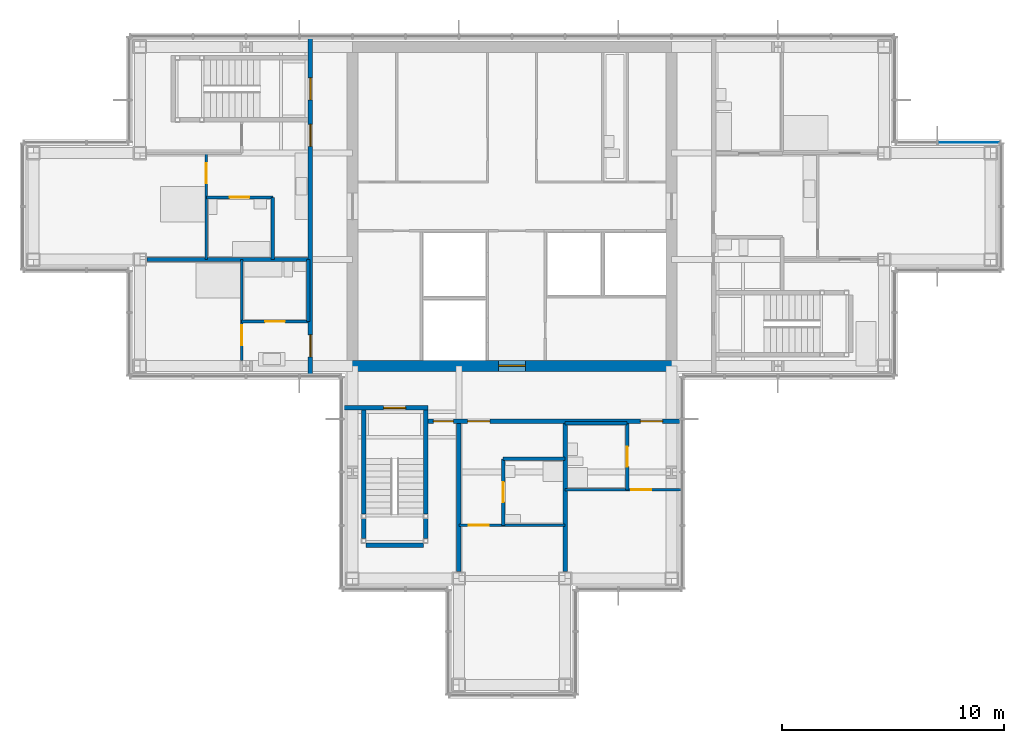
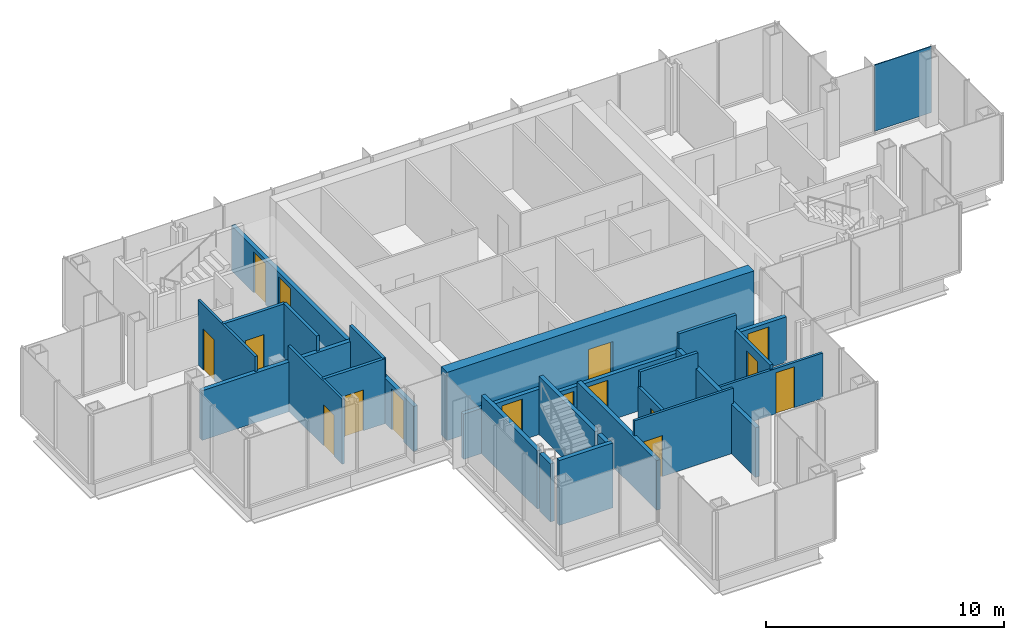
# One storey, part 10 of 15: 24 walls, 16 doors, 1 plate, 16 openings, 1 element without a shape of its own.
"""IFC4 building model written with IfcOpenShell, lengths in metres."""

from ifc_helpers import new_model, si_unit, direction, frame, frame_2d, origin, origin_2d, place, context, subcontext, project, spatial, rectangle, extrude, material, layer, layer_set, type_object, element, fill, aggregate, save


model = new_model("IFC4")

# Units and contexts
model_context = context("Model", 3, precision=1e-05, world=origin(), true_north=direction((0.0, 1.0)))
body_context = subcontext(model_context, "Body", "Model", "MODEL_VIEW")
ifc_project = project(units=[si_unit("LENGTHUNIT", "METRE"), si_unit("AREAUNIT", "SQUARE_METRE"), si_unit("VOLUMEUNIT", "CUBIC_METRE"), si_unit("PLANEANGLEUNIT", "RADIAN"), si_unit("MASSUNIT", "GRAM", prefix="KILO")], contexts=[model_context])

# Site, building, storey
site_placement = place(None, origin())
site = spatial("IfcSite", under=ifc_project, at=site_placement, CompositionType="ELEMENT")
building_placement = place(site_placement, origin())
building = spatial("IfcBuilding", under=site, at=building_placement, Name="Kvirike Care Tower", CompositionType="ELEMENT")
storey_placement = place(building_placement, frame((0.0, 0.0, 212.0)))
storey = spatial("IfcBuildingStorey", under=building, at=storey_placement, Name="L58", CompositionType="ELEMENT", Elevation=212.0)

# Curtain wall, plate
ifc_material_1 = material(Name="Anodised aluminium stick system", Category="aluminium")
curtain_wall_type = type_object("IfcCurtainWallType", Name="CW-D STICK CURTAIN WALL", PredefinedType="NOTDEFINED", material=ifc_material_1)
curtain_wall_placement = place(storey_placement, origin())
curtain_wall = element("IfcCurtainWall", 1, at=curtain_wall_placement, inside=storey, type_object=curtain_wall_type, Name="Curtain wall L58 face 5", PredefinedType="NOTDEFINED")
ifc_material_2 = material(Name="Tinted double glazed unit", Category="glass")
ifc_layer_1 = layer(ifc_material_2, 0.0439453125)
ifc_layer_set_1 = layer_set([ifc_layer_1], Name="TINTED VISION PANEL 44")
plate_type = type_object("IfcPlateType", Name="TINTED VISION PANEL 44", PredefinedType="CURTAIN_PANEL", material=ifc_layer_set_1)
plate_placement = place(storey_placement, frame((42.2236328125, 38.8798828125, 0.10009765625), z_axis=(0.0, 0.0, 1.0), x_axis=(-1.0, 0.0, 0.0)))
plate = element("IfcPlate", 2, at=plate_placement, type_object=plate_type, Name="CW-D panel L58 face 5.1", PredefinedType="CURTAIN_PANEL", context=body_context, shape_type="SweptSolid", body=[
    extrude(rectangle(XDim=2.782470703125, YDim=0.0439453125, at=origin_2d()), origin(), (0.0, 0.0, 1.0), 3.39990234375),
])
aggregate(curtain_wall, [plate])

# Wall, opening, door
ifc_material_3 = material(Name="Moisture-resistant board partition", Category="gypsum")
ifc_layer_2 = layer(ifc_material_3, 0.14990234375)
ifc_layer_set_2 = layer_set([ifc_layer_2], Name="BATHROOM WALL 150")
wall_type_1 = type_object("IfcWallType", Name="BATHROOM WALL 150", PredefinedType="PARTITIONING", material=ifc_layer_set_2)
wall_1_placement = place(storey_placement, frame((7.800048828125, 36.39990234375, 0.0), z_axis=(0.0, 0.0, 1.0), x_axis=(1.0, 0.0, 0.0)))
wall_1 = element("IfcWall", 3, at=wall_1_placement, inside=storey, type_object=wall_type_1, Name="Bathroom Wall 150 L58", PredefinedType="PARTITIONING", context=body_context, shape_type="SweptSolid", body=[
    extrude(rectangle(XDim=3.0, YDim=0.14990234375, at=frame_2d((1.5, 0.0))), origin(), (0.0, 0.0, 1.0), 3.330078125),
])
opening_1_placement = place(wall_1_placement, frame((1.050048828125, 0.0, 0.0)))
opening_1 = element("IfcOpeningElement", 4, at=opening_1_placement, cuts=wall_1, Name="Opening 58-001", PredefinedType="OPENING", context=body_context, shape_type="SweptSolid", body=[
    extrude(rectangle(XDim=0.89990234375, YDim=2.10009765625, at=frame_2d((0.449951171875, 1.050048828125))), frame((0.0, 0.08544921875, 0.0), z_axis=(0.0, -1.0, 0.0), x_axis=(1.0, 0.0, 0.0)), (0.0, 0.0, 1.0), 0.1708984375),
])
ifc_material_4 = material(Name="Timber door set", Category="wood")
door_type_1 = type_object("IfcDoorType", Name="BATHROOM DOOR 900", OperationType="SINGLE_SWING_RIGHT", PredefinedType="DOOR", material=ifc_material_4)
door_1_placement = place(opening_1_placement, frame((0.89990234375, 0.0, 0.0), z_axis=(0.0, 0.0, 1.0), x_axis=(-1.0, 0.0, 0.0)))
door_1 = element("IfcDoor", 5, at=door_1_placement, inside=storey, type_object=door_type_1, Name="Bathroom door", OperationType="SINGLE_SWING_LEFT", OverallHeight=2.10009765625, OverallWidth=0.89990234375, PredefinedType="DOOR", context=body_context, shape_type="SweptSolid", body=[
    extrude(rectangle(XDim=0.89990234375, YDim=2.10009765625, at=frame_2d((0.449951171875, 1.050048828125))), frame((0.0, 0.02197265625, 0.0), z_axis=(0.0, -1.0, 0.0), x_axis=(1.0, 0.0, 0.0)), (0.0, 0.0, 1.0), 0.0439453125),
])
fill(opening_1, door_1)

# Wall
wall_2_placement = place(storey_placement, frame((10.800048828125, 36.39990234375, 0.0), z_axis=(0.0, 0.0, 1.0), x_axis=(0.0, -1.0, 0.0)))
element("IfcWall", 6, at=wall_2_placement, inside=storey, type_object=wall_type_1, Name="Bathroom Wall 150 L58", PredefinedType="PARTITIONING", context=body_context, shape_type="SweptSolid", body=[
    extrude(rectangle(XDim=2.7998046875, YDim=0.14990234375, at=frame_2d((1.39990234375, 0.0))), origin(), (0.0, 0.0, 1.0), 3.330078125),
])

# Wall, opening, door
wall_3_placement = place(storey_placement, frame((9.39990234375, 30.800048828125, 0.0), z_axis=(0.0, 0.0, 1.0), x_axis=(1.0, 0.0, 0.0)))
wall_3 = element("IfcWall", 7, at=wall_3_placement, inside=storey, type_object=wall_type_1, Name="Bathroom Wall 150 L58", PredefinedType="PARTITIONING", context=body_context, shape_type="SweptSolid", body=[
    extrude(rectangle(XDim=3.0, YDim=0.14990234375, at=frame_2d((1.5, 0.0))), origin(), (0.0, 0.0, 1.0), 3.330078125),
])
opening_2_placement = place(wall_3_placement, frame((1.050048828125, 0.0, 0.0)))
opening_2 = element("IfcOpeningElement", 8, at=opening_2_placement, cuts=wall_3, Name="Opening 58-004", PredefinedType="OPENING", context=body_context, shape_type="SweptSolid", body=[
    extrude(rectangle(XDim=0.89990234375, YDim=2.10009765625, at=frame_2d((0.449951171875, 1.050048828125))), frame((0.0, 0.08544921875, 0.0), z_axis=(0.0, -1.0, 0.0), x_axis=(1.0, 0.0, 0.0)), (0.0, 0.0, 1.0), 0.1708984375),
])
door_2_placement = place(opening_2_placement, frame((0.89990234375, 0.0, 0.0), z_axis=(0.0, 0.0, 1.0), x_axis=(-1.0, 0.0, 0.0)))
door_2 = element("IfcDoor", 9, at=door_2_placement, inside=storey, type_object=door_type_1, Name="Bathroom door", OperationType="SINGLE_SWING_LEFT", OverallHeight=2.10009765625, OverallWidth=0.89990234375, PredefinedType="DOOR", context=body_context, shape_type="SweptSolid", body=[
    extrude(rectangle(XDim=0.89990234375, YDim=2.10009765625, at=frame_2d((0.449951171875, 1.050048828125))), frame((0.0, 0.02197265625, 0.0), z_axis=(0.0, -1.0, 0.0), x_axis=(1.0, 0.0, 0.0)), (0.0, 0.0, 1.0), 0.0439453125),
])
fill(opening_2, door_2)

# Wall
wall_4_placement = place(storey_placement, frame((12.39990234375, 33.60009765625, 0.0), z_axis=(0.0, 0.0, 1.0), x_axis=(0.0, -1.0, 0.0)))
element("IfcWall", 10, at=wall_4_placement, inside=storey, type_object=wall_type_1, Name="Bathroom Wall 150 L58", PredefinedType="PARTITIONING", context=body_context, shape_type="SweptSolid", body=[
    extrude(rectangle(XDim=2.800048828125, YDim=0.14990234375, at=frame_2d((1.39990234375, 0.0))), origin(), (0.0, 0.0, 1.0), 3.330078125),
])

# Wall, opening, door
wall_5_placement = place(storey_placement, frame((21.199951171875, 21.60009765625, 0.0), z_axis=(0.0, 0.0, 1.0), x_axis=(0.0, 1.0, 0.0)))
wall_5 = element("IfcWall", 11, at=wall_5_placement, inside=storey, type_object=wall_type_1, Name="Bathroom Wall 150 L58", PredefinedType="PARTITIONING", context=body_context, shape_type="SweptSolid", body=[
    extrude(rectangle(XDim=3.0, YDim=0.14990234375, at=frame_2d((1.5, 0.0))), origin(), (0.0, 0.0, 1.0), 2.550048828125),
])
opening_3_placement = place(wall_5_placement, frame((1.050048828125, 0.0, 0.0)))
opening_3 = element("IfcOpeningElement", 12, at=opening_3_placement, cuts=wall_5, Name="Opening 58-010", PredefinedType="OPENING", context=body_context, shape_type="SweptSolid", body=[
    extrude(rectangle(XDim=0.89990234375, YDim=2.10009765625, at=frame_2d((0.449951171875, 1.050048828125))), frame((0.0, 0.08544921875, 0.0), z_axis=(0.0, -1.0, 0.0), x_axis=(1.0, 0.0, 0.0)), (0.0, 0.0, 1.0), 0.1708984375),
])
door_3_placement = place(opening_3_placement, frame((0.89990234375, 0.0, 0.0), z_axis=(0.0, 0.0, 1.0), x_axis=(-1.0, 0.0, 0.0)))
door_3 = element("IfcDoor", 13, at=door_3_placement, inside=storey, type_object=door_type_1, Name="Shower room door", OperationType="SINGLE_SWING_RIGHT", OverallHeight=2.10009765625, OverallWidth=0.89990234375, PredefinedType="DOOR", context=body_context, shape_type="SweptSolid", body=[
    extrude(rectangle(XDim=0.89990234375, YDim=2.10009765625, at=frame_2d((0.449951171875, 1.050048828125))), frame((0.0, 0.02197265625, 0.0), z_axis=(0.0, -1.0, 0.0), x_axis=(1.0, 0.0, 0.0)), (0.0, 0.0, 1.0), 0.0439453125),
])
fill(opening_3, door_3)

# Wall
wall_6_placement = place(storey_placement, frame((21.199951171875, 24.60009765625, 0.0), z_axis=(0.0, 0.0, 1.0), x_axis=(1.0, 0.0, 0.0)))
element("IfcWall", 14, at=wall_6_placement, inside=storey, type_object=wall_type_1, Name="Bathroom Wall 150 L58", PredefinedType="PARTITIONING", context=body_context, shape_type="SweptSolid", body=[
    extrude(rectangle(XDim=2.800048828125, YDim=0.14990234375, at=frame_2d((1.39990234375, 0.0))), origin(), (0.0, 0.0, 1.0), 3.330078125),
])

# Wall, opening, door
wall_7_placement = place(storey_placement, frame((26.800048828125, 23.199951171875, 0.0), z_axis=(0.0, 0.0, 1.0), x_axis=(0.0, 1.0, 0.0)))
wall_7 = element("IfcWall", 15, at=wall_7_placement, inside=storey, type_object=wall_type_1, Name="Bathroom Wall 150 L58", PredefinedType="PARTITIONING", context=body_context, shape_type="SweptSolid", body=[
    extrude(rectangle(XDim=3.0, YDim=0.14990234375, at=frame_2d((1.5, 0.0))), origin(), (0.0, 0.0, 1.0), 2.550048828125),
])
opening_4_placement = place(wall_7_placement, frame((1.050048828125, 0.0, 0.0)))
opening_4 = element("IfcOpeningElement", 16, at=opening_4_placement, cuts=wall_7, Name="Opening 58-012", PredefinedType="OPENING", context=body_context, shape_type="SweptSolid", body=[
    extrude(rectangle(XDim=0.89990234375, YDim=2.10009765625, at=frame_2d((0.449951171875, 1.050048828125))), frame((0.0, 0.08544921875, 0.0), z_axis=(0.0, -1.0, 0.0), x_axis=(1.0, 0.0, 0.0)), (0.0, 0.0, 1.0), 0.1708984375),
])
door_4_placement = place(opening_4_placement, frame((0.89990234375, 0.0, 0.0), z_axis=(0.0, 0.0, 1.0), x_axis=(-1.0, 0.0, 0.0)))
door_4 = element("IfcDoor", 17, at=door_4_placement, inside=storey, type_object=door_type_1, Name="Shower room door", OperationType="SINGLE_SWING_LEFT", OverallHeight=2.10009765625, OverallWidth=0.89990234375, PredefinedType="DOOR", context=body_context, shape_type="SweptSolid", body=[
    extrude(rectangle(XDim=0.89990234375, YDim=2.10009765625, at=frame_2d((0.449951171875, 1.050048828125))), frame((0.0, 0.02197265625, 0.0), z_axis=(0.0, -1.0, 0.0), x_axis=(1.0, 0.0, 0.0)), (0.0, 0.0, 1.0), 0.0439453125),
])
fill(opening_4, door_4)

# Wall
wall_8_placement = place(storey_placement, frame((24.0, 26.199951171875, 0.0), z_axis=(0.0, 0.0, 1.0), x_axis=(1.0, 0.0, 0.0)))
element("IfcWall", 18, at=wall_8_placement, inside=storey, type_object=wall_type_1, Name="Bathroom Wall 150 L58", PredefinedType="PARTITIONING", context=body_context, shape_type="SweptSolid", body=[
    extrude(rectangle(XDim=2.800048828125, YDim=0.14990234375, at=frame_2d((1.39990234375, 0.0))), origin(), (0.0, 0.0, 1.0), 3.330078125),
])

# Wall, opening, door
ifc_material_5 = material(Name="Concrete C40/50", Category="concrete")
ifc_layer_3 = layer(ifc_material_5, 0.5)
ifc_layer_set_3 = layer_set([ifc_layer_3], Name="CORE WALL 500 C40-50")
wall_type_2 = type_object("IfcWallType", Name="CORE WALL 500 C40-50", PredefinedType="SHEAR", material=ifc_layer_set_3)
wall_9_placement = place(storey_placement, frame((14.14990234375, 28.800048828125, -0.169921875), z_axis=(0.0, 0.0, 1.0), x_axis=(1.0, 0.0, 0.0)))
wall_9 = element("IfcWall", 19, at=wall_9_placement, inside=storey, type_object=wall_type_2, Name="Core wall S L58", PredefinedType="SHEAR", context=body_context, shape_type="SweptSolid", body=[
    extrude(rectangle(XDim=14.900146484375, YDim=0.5, at=frame_2d((7.4501953125, 0.0))), origin(), (0.0, 0.0, 1.0), 3.5),
])
opening_5_placement = place(wall_9_placement, frame((6.85009765625, 0.0, 0.169921875)))
opening_5 = element("IfcOpeningElement", 20, at=opening_5_placement, cuts=wall_9, Name="Opening 58-037", PredefinedType="OPENING", context=body_context, shape_type="SweptSolid", body=[
    extrude(rectangle(XDim=1.199951171875, YDim=2.10009765625, at=frame_2d((0.60009765625, 1.050048828125))), frame((0.0, 0.260498046875, 0.0), z_axis=(0.0, -1.0, 0.0), x_axis=(1.0, 0.0, 0.0)), (0.0, 0.0, 1.0), 0.52099609375),
])
ifc_material_6 = material(Name="Timber door set", Category="wood")
door_type_2 = type_object("IfcDoorType", Name="CORE DOOR 1200", OperationType="SINGLE_SWING_LEFT", PredefinedType="DOOR", material=ifc_material_6)
door_5_placement = place(opening_5_placement, origin())
door_5 = element("IfcDoor", 21, at=door_5_placement, inside=storey, type_object=door_type_2, Name="Core door S L58", OperationType="SINGLE_SWING_LEFT", OverallHeight=2.10009765625, OverallWidth=1.199951171875, PredefinedType="DOOR", context=body_context, shape_type="SweptSolid", body=[
    extrude(rectangle(XDim=1.199951171875, YDim=2.10009765625, at=frame_2d((0.60009765625, 1.050048828125))), frame((0.0, 0.02685546875, 0.0), z_axis=(0.0, -1.0, 0.0), x_axis=(1.0, 0.0, 0.0)), (0.0, 0.0, 1.0), 0.053955078125),
])
fill(opening_5, door_5)

# Wall, openings, doors
ifc_material_7 = material(Name="Plasterboard corridor wall", Category="gypsum")
ifc_layer_4 = layer(ifc_material_7, 0.199951171875)
ifc_layer_set_4 = layer_set([ifc_layer_4], Name="CORRIDOR WALL 200")
wall_type_3 = type_object("IfcWallType", Name="CORRIDOR WALL 200", PredefinedType="PARTITIONING", material=ifc_layer_set_4)
wall_10_placement = place(storey_placement, frame((12.5, 43.655029296875, 0.0), z_axis=(0.0, 0.0, 1.0), x_axis=(0.0, -1.0, 0.0)))
wall_10 = element("IfcWall", 22, at=wall_10_placement, inside=storey, type_object=wall_type_3, Name="Corridor Wall 200 L58", PredefinedType="PARTITIONING", context=body_context, shape_type="SweptSolid", body=[
    extrude(rectangle(XDim=15.31005859375, YDim=0.199951171875, at=frame_2d((7.655029296875, 0.0))), origin(), (0.0, 0.0, 1.0), 2.320068359375),
])
opening_6_placement = place(wall_10_placement, frame((1.85498046875, 0.0, 0.0)))
opening_6 = element("IfcOpeningElement", 23, at=opening_6_placement, cuts=wall_10, Name="Opening 58-006", PredefinedType="OPENING", context=body_context, shape_type="SweptSolid", body=[
    extrude(rectangle(XDim=1.0, YDim=2.10009765625, at=frame_2d((0.5, 1.050048828125))), frame((0.0, 0.110595703125, 0.0), z_axis=(0.0, -1.0, 0.0), x_axis=(1.0, 0.0, 0.0)), (0.0, 0.0, 1.0), 0.220947265625),
])
opening_7_placement = place(wall_10_placement, frame((3.955078125, 0.0, 0.0)))
opening_7 = element("IfcOpeningElement", 24, at=opening_7_placement, cuts=wall_10, Name="Opening 58-007", PredefinedType="OPENING", context=body_context, shape_type="SweptSolid", body=[
    extrude(rectangle(XDim=1.0, YDim=2.10009765625, at=frame_2d((0.5, 1.050048828125))), frame((0.0, 0.110595703125, 0.0), z_axis=(0.0, -1.0, 0.0), x_axis=(1.0, 0.0, 0.0)), (0.0, 0.0, 1.0), 0.220947265625),
])
opening_8_placement = place(wall_10_placement, frame((13.455078125, 0.0, 0.0)))
opening_8 = element("IfcOpeningElement", 25, at=opening_8_placement, cuts=wall_10, Name="Opening 58-008", PredefinedType="OPENING", context=body_context, shape_type="SweptSolid", body=[
    extrude(rectangle(XDim=1.0, YDim=2.10009765625, at=frame_2d((0.5, 1.050048828125))), frame((0.0, 0.110595703125, 0.0), z_axis=(0.0, -1.0, 0.0), x_axis=(1.0, 0.0, 0.0)), (0.0, 0.0, 1.0), 0.220947265625),
])
ifc_material_8 = material(Name="Timber door set", Category="wood")
door_type_3 = type_object("IfcDoorType", Name="FLAT ENTRANCE DOOR 1000", OperationType="SINGLE_SWING_LEFT", PredefinedType="DOOR", material=ifc_material_8)
door_6_placement = place(opening_7_placement, frame((1.0, 0.0, 0.0), z_axis=(0.0, 0.0, 1.0), x_axis=(-1.0, 0.0, 0.0)))
door_6 = element("IfcDoor", 26, at=door_6_placement, inside=storey, type_object=door_type_3, Name="One-bedroom apartment entrance", OperationType="SINGLE_SWING_LEFT", OverallHeight=2.10009765625, OverallWidth=1.0, PredefinedType="DOOR", context=body_context, shape_type="SweptSolid", body=[
    extrude(rectangle(XDim=1.0, YDim=2.10009765625, at=frame_2d((0.5, 1.050048828125))), frame((0.0, 0.02685546875, 0.0), z_axis=(0.0, -1.0, 0.0), x_axis=(1.0, 0.0, 0.0)), (0.0, 0.0, 1.0), 0.053955078125),
])
fill(opening_7, door_6)
door_7_placement = place(opening_8_placement, frame((1.0, 0.0, 0.0), z_axis=(0.0, 0.0, 1.0), x_axis=(-1.0, 0.0, 0.0)))
door_7 = element("IfcDoor", 27, at=door_7_placement, inside=storey, type_object=door_type_3, Name="Studio apartment entrance", OperationType="SINGLE_SWING_RIGHT", OverallHeight=2.10009765625, OverallWidth=1.0, PredefinedType="DOOR", context=body_context, shape_type="SweptSolid", body=[
    extrude(rectangle(XDim=1.0, YDim=2.10009765625, at=frame_2d((0.5, 1.050048828125))), frame((0.0, 0.02685546875, 0.0), z_axis=(0.0, -1.0, 0.0), x_axis=(1.0, 0.0, 0.0)), (0.0, 0.0, 1.0), 0.053955078125),
])
fill(opening_8, door_7)
ifc_material_9 = material(Name="Timber door set", Category="wood")
door_type_4 = type_object("IfcDoorType", Name="STAIR DOOR 1000", OperationType="SINGLE_SWING_LEFT", PredefinedType="DOOR", material=ifc_material_9)
door_8_placement = place(opening_6_placement, frame((1.0, 0.0, 0.0), z_axis=(0.0, 0.0, 1.0), x_axis=(-1.0, 0.0, 0.0)))
door_8 = element("IfcDoor", 28, at=door_8_placement, inside=storey, type_object=door_type_4, Name="Stair 1 door", OperationType="SINGLE_SWING_RIGHT", OverallHeight=2.10009765625, OverallWidth=1.0, PredefinedType="DOOR", context=body_context, shape_type="SweptSolid", body=[
    extrude(rectangle(XDim=1.0, YDim=2.10009765625, at=frame_2d((0.5, 1.050048828125))), frame((0.0, 0.031982421875, 0.0), z_axis=(0.0, -1.0, 0.0), x_axis=(1.0, 0.0, 0.0)), (0.0, 0.0, 1.0), 0.06396484375),
])
fill(opening_6, door_8)

wall_11_placement = place(storey_placement, frame((17.800048828125, 26.300048828125, 0.0), z_axis=(0.0, 0.0, 1.0), x_axis=(1.0, 0.0, 0.0)))
wall_11 = element("IfcWall", 29, at=wall_11_placement, inside=storey, type_object=wall_type_3, Name="Corridor Wall 200 L58", PredefinedType="PARTITIONING", context=body_context, shape_type="SweptSolid", body=[
    extrude(rectangle(XDim=11.454833984375, YDim=0.199951171875, at=frame_2d((5.7275390625, 0.0))), origin(), (0.0, 0.0, 1.0), 2.320068359375),
])
opening_9_placement = place(wall_11_placement, frame((0.25, 0.0, 0.0)))
opening_9 = element("IfcOpeningElement", 30, at=opening_9_placement, cuts=wall_11, Name="Opening 58-014", PredefinedType="OPENING", context=body_context, shape_type="SweptSolid", body=[
    extrude(rectangle(XDim=0.89990234375, YDim=2.10009765625, at=frame_2d((0.449951171875, 1.050048828125))), frame((0.0, 0.110595703125, 0.0), z_axis=(0.0, -1.0, 0.0), x_axis=(1.0, 0.0, 0.0)), (0.0, 0.0, 1.0), 0.220947265625),
])
opening_10_placement = place(wall_11_placement, frame((1.800048828125, 0.0, 0.0)))
opening_10 = element("IfcOpeningElement", 31, at=opening_10_placement, cuts=wall_11, Name="Opening 58-015", PredefinedType="OPENING", context=body_context, shape_type="SweptSolid", body=[
    extrude(rectangle(XDim=1.0, YDim=2.10009765625, at=frame_2d((0.5, 1.050048828125))), frame((0.0, 0.110595703125, 0.0), z_axis=(0.0, -1.0, 0.0), x_axis=(1.0, 0.0, 0.0)), (0.0, 0.0, 1.0), 0.220947265625),
])
opening_11_placement = place(wall_11_placement, frame((9.60009765625, 0.0, 0.0)))
opening_11 = element("IfcOpeningElement", 32, at=opening_11_placement, cuts=wall_11, Name="Opening 58-016", PredefinedType="OPENING", context=body_context, shape_type="SweptSolid", body=[
    extrude(rectangle(XDim=1.0, YDim=2.10009765625, at=frame_2d((0.5, 1.050048828125))), frame((0.0, 0.110595703125, 0.0), z_axis=(0.0, -1.0, 0.0), x_axis=(1.0, 0.0, 0.0)), (0.0, 0.0, 1.0), 0.220947265625),
])
door_9_placement = place(opening_10_placement, frame((1.0, 0.0, 0.0), z_axis=(0.0, 0.0, 1.0), x_axis=(-1.0, 0.0, 0.0)))
door_9 = element("IfcDoor", 33, at=door_9_placement, inside=storey, type_object=door_type_3, Name="Family guest room entrance", OperationType="SINGLE_SWING_LEFT", OverallHeight=2.10009765625, OverallWidth=1.0, PredefinedType="DOOR", context=body_context, shape_type="SweptSolid", body=[
    extrude(rectangle(XDim=1.0, YDim=2.10009765625, at=frame_2d((0.5, 1.050048828125))), frame((0.0, 0.02685546875, 0.0), z_axis=(0.0, -1.0, 0.0), x_axis=(1.0, 0.0, 0.0)), (0.0, 0.0, 1.0), 0.053955078125),
])
fill(opening_10, door_9)
door_10_placement = place(opening_11_placement, frame((1.0, 0.0, 0.0), z_axis=(0.0, 0.0, 1.0), x_axis=(-1.0, 0.0, 0.0)))
door_10 = element("IfcDoor", 34, at=door_10_placement, inside=storey, type_object=door_type_3, Name="Family guest room entrance", OperationType="SINGLE_SWING_RIGHT", OverallHeight=2.10009765625, OverallWidth=1.0, PredefinedType="DOOR", context=body_context, shape_type="SweptSolid", body=[
    extrude(rectangle(XDim=1.0, YDim=2.10009765625, at=frame_2d((0.5, 1.050048828125))), frame((0.0, 0.02685546875, 0.0), z_axis=(0.0, -1.0, 0.0), x_axis=(1.0, 0.0, 0.0)), (0.0, 0.0, 1.0), 0.053955078125),
])
fill(opening_11, door_10)
ifc_material_10 = material(Name="Timber door set", Category="wood")
door_type_5 = type_object("IfcDoorType", Name="STORE DOOR 900", OperationType="SINGLE_SWING_LEFT", PredefinedType="DOOR", material=ifc_material_10)
door_11_placement = place(opening_9_placement, frame((0.89990234375, 0.0, 0.0), z_axis=(0.0, 0.0, 1.0), x_axis=(-1.0, 0.0, 0.0)))
door_11 = element("IfcDoor", 35, at=door_11_placement, inside=storey, type_object=door_type_5, Name="Housekeeping room door", OperationType="SINGLE_SWING_RIGHT", OverallHeight=2.10009765625, OverallWidth=0.89990234375, PredefinedType="DOOR", context=body_context, shape_type="SweptSolid", body=[
    extrude(rectangle(XDim=0.89990234375, YDim=2.10009765625, at=frame_2d((0.449951171875, 1.050048828125))), frame((0.0, 0.02685546875, 0.0), z_axis=(0.0, -1.0, 0.0), x_axis=(1.0, 0.0, 0.0)), (0.0, 0.0, 1.0), 0.053955078125),
])
fill(opening_9, door_11)

# Wall, opening, door
ifc_material_11 = material(Name="Plasterboard partition", Category="gypsum")
ifc_layer_5 = layer(ifc_material_11, 0.1201171875)
ifc_layer_set_5 = layer_set([ifc_layer_5], Name="PARTITION 120")
wall_type_4 = type_object("IfcWallType", Name="PARTITION 120", PredefinedType="PARTITIONING", material=ifc_layer_set_5)
wall_12_placement = place(storey_placement, frame((7.800048828125, 38.39990234375, 0.0), z_axis=(0.0, 0.0, 1.0), x_axis=(0.0, -1.0, 0.0)))
wall_12 = element("IfcWall", 36, at=wall_12_placement, inside=storey, type_object=wall_type_4, Name="Partition 120 L58", PredefinedType="PARTITIONING", context=body_context, shape_type="SweptSolid", body=[
    extrude(rectangle(XDim=4.7998046875, YDim=0.1201171875, at=frame_2d((2.39990234375, 0.0))), origin(), (0.0, 0.0, 1.0), 3.330078125),
])
opening_12_placement = place(wall_12_placement, frame((0.449951171875, 0.0, 0.0)))
opening_12 = element("IfcOpeningElement", 37, at=opening_12_placement, cuts=wall_12, Name="Opening 58-003", PredefinedType="OPENING", context=body_context, shape_type="SweptSolid", body=[
    extrude(rectangle(XDim=0.89990234375, YDim=2.10009765625, at=frame_2d((0.449951171875, 1.050048828125))), frame((0.0, 0.070556640625, 0.0), z_axis=(0.0, -1.0, 0.0), x_axis=(1.0, 0.0, 0.0)), (0.0, 0.0, 1.0), 0.14111328125),
])
ifc_material_12 = material(Name="Timber door set", Category="wood")
door_type_6 = type_object("IfcDoorType", Name="INTERNAL DOOR 900", OperationType="SINGLE_SWING_LEFT", PredefinedType="DOOR", material=ifc_material_12)
door_12_placement = place(opening_12_placement, origin())
door_12 = element("IfcDoor", 38, at=door_12_placement, inside=storey, type_object=door_type_6, Name="Apartment bedroom door", OperationType="SINGLE_SWING_RIGHT", OverallHeight=2.10009765625, OverallWidth=0.89990234375, PredefinedType="DOOR", context=body_context, shape_type="SweptSolid", body=[
    extrude(rectangle(XDim=0.89990234375, YDim=2.10009765625, at=frame_2d((0.449951171875, 1.050048828125))), frame((0.0, 0.02197265625, 0.0), z_axis=(0.0, -1.0, 0.0), x_axis=(1.0, 0.0, 0.0)), (0.0, 0.0, 1.0), 0.0439453125),
])
fill(opening_12, door_12)

wall_13_placement = place(storey_placement, frame((9.39990234375, 33.60009765625, 0.0), z_axis=(0.0, 0.0, 1.0), x_axis=(0.0, -1.0, 0.0)))
wall_13 = element("IfcWall", 39, at=wall_13_placement, inside=storey, type_object=wall_type_4, Name="Partition 120 L58", PredefinedType="PARTITIONING", context=body_context, shape_type="SweptSolid", body=[
    extrude(rectangle(XDim=4.552978515625, YDim=0.1201171875, at=frame_2d((2.2763671875, 0.0))), origin(), (0.0, 0.0, 1.0), 3.330078125),
])
opening_13_placement = place(wall_13_placement, frame((2.97509765625, 0.0, 0.0)))
opening_13 = element("IfcOpeningElement", 40, at=opening_13_placement, cuts=wall_13, Name="Opening 58-005", PredefinedType="OPENING", context=body_context, shape_type="SweptSolid", body=[
    extrude(rectangle(XDim=0.89990234375, YDim=2.10009765625, at=frame_2d((0.449951171875, 1.050048828125))), frame((0.0, 0.070556640625, 0.0), z_axis=(0.0, -1.0, 0.0), x_axis=(1.0, 0.0, 0.0)), (0.0, 0.0, 1.0), 0.14111328125),
])
door_13_placement = place(opening_13_placement, origin())
door_13 = element("IfcDoor", 41, at=door_13_placement, inside=storey, type_object=door_type_6, Name="Studio apartment living room door", OperationType="SINGLE_SWING_RIGHT", OverallHeight=2.10009765625, OverallWidth=0.89990234375, PredefinedType="DOOR", context=body_context, shape_type="SweptSolid", body=[
    extrude(rectangle(XDim=0.89990234375, YDim=2.10009765625, at=frame_2d((0.449951171875, 1.050048828125))), frame((0.0, 0.02197265625, 0.0), z_axis=(0.0, -1.0, 0.0), x_axis=(1.0, 0.0, 0.0)), (0.0, 0.0, 1.0), 0.0439453125),
])
fill(opening_13, door_13)

wall_14_placement = place(storey_placement, frame((19.199951171875, 21.60009765625, 0.0), z_axis=(0.0, 0.0, 1.0), x_axis=(1.0, 0.0, 0.0)))
wall_14 = element("IfcWall", 42, at=wall_14_placement, inside=storey, type_object=wall_type_4, Name="Partition 120 L58", PredefinedType="PARTITIONING", context=body_context, shape_type="SweptSolid", body=[
    extrude(rectangle(XDim=4.800048828125, YDim=0.1201171875, at=frame_2d((2.39990234375, 0.0))), origin(), (0.0, 0.0, 1.0), 3.330078125),
])
opening_14_placement = place(wall_14_placement, frame((0.449951171875, 0.0, 0.0)))
opening_14 = element("IfcOpeningElement", 43, at=opening_14_placement, cuts=wall_14, Name="Opening 58-011", PredefinedType="OPENING", context=body_context, shape_type="SweptSolid", body=[
    extrude(rectangle(XDim=0.89990234375, YDim=2.10009765625, at=frame_2d((0.449951171875, 1.050048828125))), frame((0.0, 0.070556640625, 0.0), z_axis=(0.0, -1.0, 0.0), x_axis=(1.0, 0.0, 0.0)), (0.0, 0.0, 1.0), 0.14111328125),
])
door_14_placement = place(opening_14_placement, origin())
door_14 = element("IfcDoor", 44, at=door_14_placement, inside=storey, type_object=door_type_6, Name="Family guest room door", OperationType="SINGLE_SWING_RIGHT", OverallHeight=2.10009765625, OverallWidth=0.89990234375, PredefinedType="DOOR", context=body_context, shape_type="SweptSolid", body=[
    extrude(rectangle(XDim=0.89990234375, YDim=2.10009765625, at=frame_2d((0.449951171875, 1.050048828125))), frame((0.0, 0.02197265625, 0.0), z_axis=(0.0, -1.0, 0.0), x_axis=(1.0, 0.0, 0.0)), (0.0, 0.0, 1.0), 0.0439453125),
])
fill(opening_14, door_14)

wall_15_placement = place(storey_placement, frame((24.0, 23.199951171875, 0.0), z_axis=(0.0, 0.0, 1.0), x_axis=(1.0, 0.0, 0.0)))
wall_15 = element("IfcWall", 45, at=wall_15_placement, inside=storey, type_object=wall_type_4, Name="Partition 120 L58", PredefinedType="PARTITIONING", context=body_context, shape_type="SweptSolid", body=[
    extrude(rectangle(XDim=5.2548828125, YDim=0.1201171875, at=frame_2d((2.62744140625, 0.0))), origin(), (0.0, 0.0, 1.0), 2.320068359375),
])
opening_15_placement = place(wall_15_placement, frame((2.97509765625, 0.0, 0.0)))
opening_15 = element("IfcOpeningElement", 46, at=opening_15_placement, cuts=wall_15, Name="Opening 58-013", PredefinedType="OPENING", context=body_context, shape_type="SweptSolid", body=[
    extrude(rectangle(XDim=0.89990234375, YDim=2.10009765625, at=frame_2d((0.449951171875, 1.050048828125))), frame((0.0, 0.070556640625, 0.0), z_axis=(0.0, -1.0, 0.0), x_axis=(1.0, 0.0, 0.0)), (0.0, 0.0, 1.0), 0.14111328125),
])
door_15_placement = place(opening_15_placement, origin())
door_15 = element("IfcDoor", 47, at=door_15_placement, inside=storey, type_object=door_type_6, Name="Family guest room door", OperationType="SINGLE_SWING_RIGHT", OverallHeight=2.10009765625, OverallWidth=0.89990234375, PredefinedType="DOOR", context=body_context, shape_type="SweptSolid", body=[
    extrude(rectangle(XDim=0.89990234375, YDim=2.10009765625, at=frame_2d((0.449951171875, 1.050048828125))), frame((0.0, 0.02197265625, 0.0), z_axis=(0.0, -1.0, 0.0), x_axis=(1.0, 0.0, 0.0)), (0.0, 0.0, 1.0), 0.0439453125),
])
fill(opening_15, door_15)

# Walls
ifc_material_13 = material(Name="Plasterboard party wall", Category="gypsum")
ifc_layer_6 = layer(ifc_material_13, 0.199951171875)
ifc_layer_set_6 = layer_set([ifc_layer_6], Name="PARTY WALL 200")
wall_type_5 = type_object("IfcWallType", Name="PARTY WALL 200", PredefinedType="PARTITIONING", material=ifc_layer_set_6)
wall_16_placement = place(storey_placement, frame((5.1201171875, 33.60009765625, 0.0), z_axis=(0.0, 0.0, 1.0), x_axis=(1.0, 0.0, 0.0)))
element("IfcWall", 48, at=wall_16_placement, inside=storey, type_object=wall_type_5, Name="Party Wall 200 L58", PredefinedType="PARTITIONING", context=body_context, shape_type="SweptSolid", body=[
    extrude(rectangle(XDim=7.27978515625, YDim=0.199951171875, at=frame_2d((3.639892578125, 0.0))), origin(), (0.0, 0.0, 1.0), 2.550048828125),
])
for number, where, z_axis, x_axis, name in (
    (49, (19.199951171875, 19.52001953125, 0.0), (0.0, 0.0, 1.0), (0.0, 1.0, 0.0), "Party Wall 200 L58"),
    (50, (24.0, 19.52001953125, 0.0), (0.0, 0.0, 1.0), (0.0, 1.0, 0.0), "Party Wall 200 L58"),
):
    element("IfcWall", number, at=place(storey_placement, frame(where, z_axis=z_axis, x_axis=x_axis)), inside=storey, type_object=wall_type_5, Name=name, PredefinedType="PARTITIONING", context=body_context, shape_type="SweptSolid", body=[
        extrude(rectangle(XDim=6.679931640625, YDim=0.199951171875, at=frame_2d((3.33984375, 0.0))), origin(), (0.0, 0.0, 1.0), 2.550048828125),
    ])
ifc_material_14 = material(Name="Concrete C40/50", Category="concrete")
ifc_layer_7 = layer(ifc_material_14, 0.199951171875)
ifc_layer_set_7 = layer_set([ifc_layer_7], Name="STAIR WALL 200")
wall_type_6 = type_object("IfcWallType", Name="STAIR WALL 200", PredefinedType="SOLIDWALL", material=ifc_layer_set_7)
wall_17_placement = place(storey_placement, frame((14.89990234375, 21.0, 0.0), z_axis=(0.0, 0.0, 1.0), x_axis=(0.0, 1.0, 0.0)))
element("IfcWall", 51, at=wall_17_placement, inside=storey, type_object=wall_type_6, Name="Stair Wall 200 L58", PredefinedType="SOLIDWALL", context=body_context, shape_type="SweptSolid", body=[
    extrude(rectangle(XDim=0.89990234375, YDim=0.199951171875, at=frame_2d((0.449951171875, 0.0))), origin(), (0.0, 0.0, 1.0), 2.989990234375),
])
wall_18_placement = place(storey_placement, frame((14.89990234375, 22.10009765625, 0.0), z_axis=(0.0, 0.0, 1.0), x_axis=(0.0, 1.0, 0.0)))
element("IfcWall", 52, at=wall_18_placement, inside=storey, type_object=wall_type_6, Name="Stair Wall 200 L58", PredefinedType="SOLIDWALL", context=body_context, shape_type="SweptSolid", body=[
    extrude(rectangle(XDim=4.699951171875, YDim=0.199951171875, at=frame_2d((2.35009765625, 0.0))), origin(), (0.0, 0.0, 1.0), 2.989990234375),
])
wall_19_placement = place(storey_placement, frame((17.699951171875, 21.0, 0.0), z_axis=(0.0, 0.0, 1.0), x_axis=(0.0, 1.0, 0.0)))
element("IfcWall", 53, at=wall_19_placement, inside=storey, type_object=wall_type_6, Name="Stair Wall 200 L58", PredefinedType="SOLIDWALL", context=body_context, shape_type="SweptSolid", body=[
    extrude(rectangle(XDim=0.89990234375, YDim=0.199951171875, at=frame_2d((0.449951171875, 0.0))), origin(), (0.0, 0.0, 1.0), 2.989990234375),
])
wall_20_placement = place(storey_placement, frame((17.699951171875, 22.10009765625, 0.0), z_axis=(0.0, 0.0, 1.0), x_axis=(0.0, 1.0, 0.0)))
element("IfcWall", 54, at=wall_20_placement, inside=storey, type_object=wall_type_6, Name="Stair Wall 200 L58", PredefinedType="SOLIDWALL", context=body_context, shape_type="SweptSolid", body=[
    extrude(rectangle(XDim=4.699951171875, YDim=0.199951171875, at=frame_2d((2.35009765625, 0.0))), origin(), (0.0, 0.0, 1.0), 2.989990234375),
])
wall_21_placement = place(storey_placement, frame((15.0, 20.699951171875, 0.0), z_axis=(0.0, 0.0, 1.0), x_axis=(1.0, 0.0, 0.0)))
element("IfcWall", 55, at=wall_21_placement, inside=storey, type_object=wall_type_6, Name="Stair Wall 200 L58", PredefinedType="SOLIDWALL", context=body_context, shape_type="SweptSolid", body=[
    extrude(rectangle(XDim=2.60009765625, YDim=0.199951171875, at=frame_2d((1.300048828125, 0.0))), origin(), (0.0, 0.0, 1.0), 3.330078125),
])

# Wall, opening, door
wall_22_placement = place(storey_placement, frame((13.945068359375, 26.89990234375, 0.0), z_axis=(0.0, 0.0, 1.0), x_axis=(1.0, 0.0, 0.0)))
wall_22 = element("IfcWall", 56, at=wall_22_placement, inside=storey, type_object=wall_type_6, Name="Stair Wall 200 L58", PredefinedType="SOLIDWALL", context=body_context, shape_type="SweptSolid", body=[
    extrude(rectangle(XDim=3.85498046875, YDim=0.199951171875, at=frame_2d((1.927490234375, 0.0))), origin(), (0.0, 0.0, 1.0), 2.320068359375),
])
opening_16_placement = place(wall_22_placement, frame((1.85498046875, 0.0, 0.0)))
opening_16 = element("IfcOpeningElement", 57, at=opening_16_placement, cuts=wall_22, Name="Opening 58-009", PredefinedType="OPENING", context=body_context, shape_type="SweptSolid", body=[
    extrude(rectangle(XDim=1.0, YDim=2.10009765625, at=frame_2d((0.5, 1.050048828125))), frame((0.0, 0.110595703125, 0.0), z_axis=(0.0, -1.0, 0.0), x_axis=(1.0, 0.0, 0.0)), (0.0, 0.0, 1.0), 0.220947265625),
])
door_16_placement = place(opening_16_placement, frame((1.0, 0.0, 0.0), z_axis=(0.0, 0.0, 1.0), x_axis=(-1.0, 0.0, 0.0)))
door_16 = element("IfcDoor", 58, at=door_16_placement, inside=storey, type_object=door_type_4, Name="Stair 5 door", OperationType="SINGLE_SWING_RIGHT", OverallHeight=2.10009765625, OverallWidth=1.0, PredefinedType="DOOR", context=body_context, shape_type="SweptSolid", body=[
    extrude(rectangle(XDim=1.0, YDim=2.10009765625, at=frame_2d((0.5, 1.050048828125))), frame((0.0, 0.031982421875, 0.0), z_axis=(0.0, -1.0, 0.0), x_axis=(1.0, 0.0, 0.0)), (0.0, 0.0, 1.0), 0.06396484375),
])
fill(opening_16, door_16)

save(model, "model.ifc")
